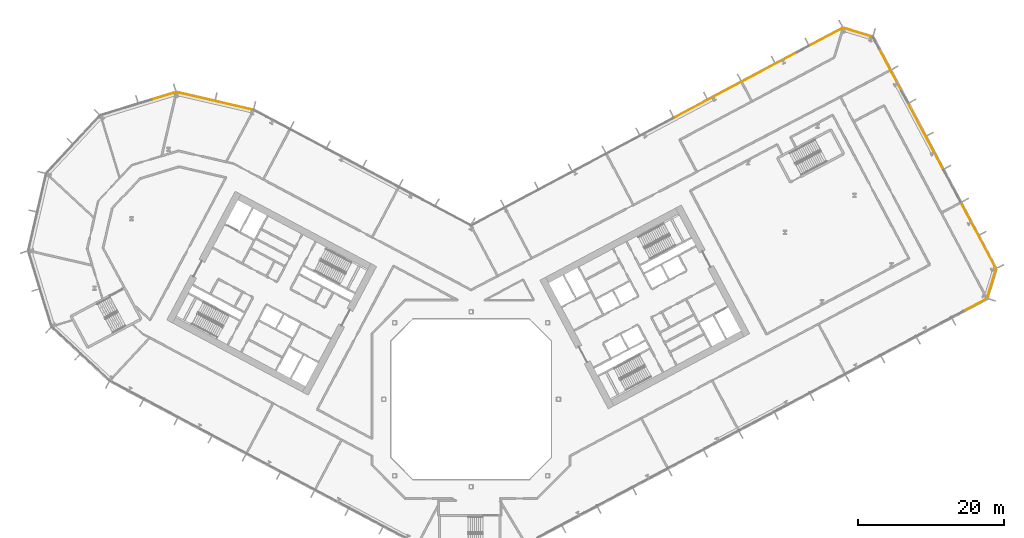
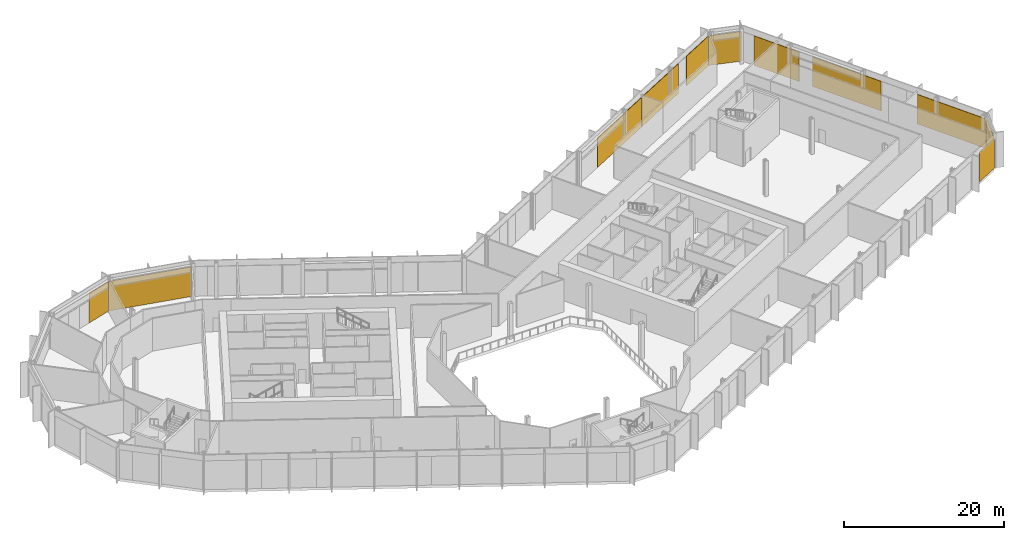
# One storey, part 31 of 32: 11 coverings, 7 elements without a shape of their own.
"""IFC4 building model written with IfcOpenShell, lengths in metres."""

from ifc_helpers import new_model, si_unit, direction, frame, origin, origin_2d, place, context, subcontext, project, spatial, rectangle, extrude, material, layer, layer_set, type_object, element, aggregate, save


model = new_model("IFC4")

# Units and contexts
model_context = context("Model", 3, precision=1e-05, world=origin(), true_north=direction((0.0, 1.0)))
body_context = subcontext(model_context, "Body", "Model", "MODEL_VIEW")
ifc_project = project(units=[si_unit("LENGTHUNIT", "METRE"), si_unit("AREAUNIT", "SQUARE_METRE"), si_unit("VOLUMEUNIT", "CUBIC_METRE"), si_unit("PLANEANGLEUNIT", "RADIAN"), si_unit("MASSUNIT", "GRAM", prefix="KILO")], contexts=[model_context])

# Site, building, storey
site_placement = place(None, origin())
site = spatial("IfcSite", under=ifc_project, at=site_placement, CompositionType="ELEMENT")
building_placement = place(site_placement, origin())
building = spatial("IfcBuilding", under=site, at=building_placement, Name="Cormorant Relay Tower", CompositionType="ELEMENT")
storey_placement = place(building_placement, frame((0.0, 0.0, 17.60009765625)))
storey = spatial("IfcBuildingStorey", under=building, at=storey_placement, Name="L03", CompositionType="ELEMENT", Elevation=17.60009765625)

# Curtain wall, covering
ifc_material_1 = material(Name="Aluminium 6063-T6 anodised bronze", Category="aluminium")
ifc_layer_1 = layer(ifc_material_1, 0.235107421875)
ifc_layer_set_1 = layer_set([ifc_layer_1], Name="CW6 data hall curtain wall with mineral wool panels")
curtain_wall_type = type_object("IfcCurtainWallType", Name="CW6 data hall curtain wall with mineral wool panels", PredefinedType="NOTDEFINED", material=ifc_layer_set_1)
curtain_wall_1_placement = place(storey_placement, origin())
curtain_wall_1 = element("IfcCurtainWall", 1, at=curtain_wall_1_placement, inside=storey, type_object=curtain_wall_type, Name="CW6 curtain wall 2", PredefinedType="NOTDEFINED")
ifc_material_2 = material(Name="Mineral wool cored anodised bronze aluminium cassette panel", Category="aluminium")
ifc_layer_2 = layer(ifc_material_2, 0.074951171875)
ifc_layer_set_2 = layer_set([ifc_layer_2], Name="CW6 mineral wool cassette panel 75")
covering_type = type_object("IfcCoveringType", Name="CW6 mineral wool cassette panel 75", PredefinedType="CLADDING", material=ifc_layer_set_2)
covering_1_placement = place(storey_placement, frame((69.1943359375, 12.96484375, 0.0), z_axis=(0.0, 0.0, 1.0), x_axis=(0.882947592859, 0.469471562786, 0.0)))
covering_1 = element("IfcCovering", 2, at=covering_1_placement, type_object=covering_type, Name="CW6 panel S15", PredefinedType="CLADDING", context=body_context, shape_type="SweptSolid", body=[
    extrude(rectangle(XDim=3.63671875, YDim=0.074951171875, at=origin_2d()), origin(), (0.0, 0.0, 1.0), 4.5),
])
aggregate(curtain_wall_1, [covering_1])

curtain_wall_2_placement = place(storey_placement, origin())
curtain_wall_2 = element("IfcCurtainWall", 3, at=curtain_wall_2_placement, inside=storey, type_object=curtain_wall_type, Name="CW6 curtain wall 3", PredefinedType="NOTDEFINED")
covering_2_placement = place(storey_placement, frame((71.44921875, 15.9052734375, 0.0), z_axis=(0.0, 0.0, 1.0), x_axis=(0.292371704723, 0.956304755963, 0.0)))
covering_2 = element("IfcCovering", 4, at=covering_2_placement, type_object=covering_type, Name="CW6 panel S00", PredefinedType="CLADDING", context=body_context, shape_type="SweptSolid", body=[
    extrude(rectangle(XDim=4.16748046875, YDim=0.074951171875, at=origin_2d()), origin(), (0.0, 0.0, 1.0), 4.5),
])
aggregate(curtain_wall_2, [covering_2])

# Curtain wall, coverings
curtain_wall_3_placement = place(storey_placement, origin())
curtain_wall_3 = element("IfcCurtainWall", 5, at=curtain_wall_3_placement, inside=storey, type_object=curtain_wall_type, Name="CW6 curtain wall 4", PredefinedType="NOTDEFINED")
covering_3_placement = place(storey_placement, frame((69.641357421875, 22.46728515625, 0.0), z_axis=(0.0, 0.0, 1.0), x_axis=(-0.469471562786, 0.882947592859, 0.0)))
covering_3 = element("IfcCovering", 6, at=covering_3_placement, type_object=covering_type, Name="CW6 panel S00", PredefinedType="CLADDING", context=body_context, shape_type="SweptSolid", body=[
    extrude(rectangle(XDim=10.1357421875, YDim=0.074951171875, at=origin_2d()), origin(), (0.0, 0.0, 1.0), 4.5),
])
covering_4_placement = place(storey_placement, frame((62.398193359375, 36.090087890625, 0.0), z_axis=(0.0, 0.0, 1.0), x_axis=(-0.469471562786, 0.882947592859, 0.0)))
covering_4 = element("IfcCovering", 7, at=covering_4_placement, type_object=covering_type, Name="CW6 panel S03", PredefinedType="CLADDING", context=body_context, shape_type="SweptSolid", body=[
    extrude(rectangle(XDim=10.1357421875, YDim=0.074951171875, at=origin_2d()), origin(), (0.0, 0.0, 1.0), 4.5),
])
covering_5_placement = place(storey_placement, frame((57.5517578125, 45.204833984375, 0.0), z_axis=(0.0, 0.0, 1.0), x_axis=(-0.469471562786, 0.882947592859, 0.0)))
covering_5 = element("IfcCovering", 8, at=covering_5_placement, type_object=covering_type, Name="CW6 panel S05", PredefinedType="CLADDING", context=body_context, shape_type="SweptSolid", body=[
    extrude(rectangle(XDim=6.610595703125, YDim=0.074951171875, at=origin_2d()), origin(), (0.0, 0.0, 1.0), 4.5),
])
aggregate(curtain_wall_3, [covering_3, covering_4, covering_5])

# Curtain wall, covering
curtain_wall_4_placement = place(storey_placement, origin())
curtain_wall_4 = element("IfcCurtainWall", 9, at=curtain_wall_4_placement, inside=storey, type_object=curtain_wall_type, Name="CW6 curtain wall 5", PredefinedType="NOTDEFINED")
covering_6_placement = place(storey_placement, frame((53.068115234375, 50.362060546875, 0.0), z_axis=(0.0, 0.0, 1.0), x_axis=(-0.956304755963, 0.292371704723, 0.0)))
covering_6 = element("IfcCovering", 10, at=covering_6_placement, type_object=covering_type, Name="CW6 panel S00", PredefinedType="CLADDING", context=body_context, shape_type="SweptSolid", body=[
    extrude(rectangle(XDim=4.16748046875, YDim=0.074951171875, at=origin_2d()), origin(), (0.0, 0.0, 1.0), 4.5),
])
aggregate(curtain_wall_4, [covering_6])

# Curtain wall, coverings
curtain_wall_5_placement = place(storey_placement, origin())
curtain_wall_5 = element("IfcCurtainWall", 11, at=curtain_wall_5_placement, inside=storey, type_object=curtain_wall_type, Name="CW6 curtain wall 6", PredefinedType="NOTDEFINED")
covering_7_placement = place(storey_placement, frame((48.725830078125, 49.734375, 0.0), z_axis=(0.0, 0.0, 1.0), x_axis=(-0.882947592859, -0.469471562786, 0.0)))
covering_7 = element("IfcCovering", 12, at=covering_7_placement, type_object=covering_type, Name="CW6 panel S00", PredefinedType="CLADDING", context=body_context, shape_type="SweptSolid", body=[
    extrude(rectangle(XDim=5.107666015625, YDim=0.074951171875, at=origin_2d()), origin(), (0.0, 0.0, 1.0), 4.5),
])
covering_8_placement = place(storey_placement, frame((40.9677734375, 45.609375, 0.0), z_axis=(0.0, 0.0, 1.0), x_axis=(-0.882947592859, -0.469471562786, 0.0)))
covering_8 = element("IfcCovering", 13, at=covering_8_placement, type_object=covering_type, Name="CW6 panel S02", PredefinedType="CLADDING", context=body_context, shape_type="SweptSolid", body=[
    extrude(rectangle(XDim=8.565185546875, YDim=0.074951171875, at=origin_2d()), origin(), (0.0, 0.0, 1.0), 4.5),
])
covering_9_placement = place(storey_placement, frame((32.47802734375, 41.09521484375, 0.0), z_axis=(0.0, 0.0, 1.0), x_axis=(-0.882947592859, -0.469471562786, 0.0)))
covering_9 = element("IfcCovering", 14, at=covering_9_placement, type_object=covering_type, Name="CW6 panel S03", PredefinedType="CLADDING", context=body_context, shape_type="SweptSolid", body=[
    extrude(rectangle(XDim=10.365234375, YDim=0.074951171875, at=origin_2d()), origin(), (0.0, 0.0, 1.0), 4.5),
])
aggregate(curtain_wall_5, [covering_7, covering_8, covering_9])

# Curtain wall, covering
curtain_wall_6_placement = place(storey_placement, origin())
curtain_wall_6 = element("IfcCurtainWall", 15, at=curtain_wall_6_placement, inside=storey, type_object=curtain_wall_type, Name="CW6 curtain wall 8", PredefinedType="NOTDEFINED")
covering_10_placement = place(storey_placement, frame((-35.19775390625, 40.935791015625, 0.0), z_axis=(0.0, 0.0, 1.0), x_axis=(-0.974370064785, 0.224951054344, 0.0)))
covering_10 = element("IfcCovering", 16, at=covering_10_placement, type_object=covering_type, Name="CW6 panel S00", PredefinedType="CLADDING", context=body_context, shape_type="SweptSolid", body=[
    extrude(rectangle(XDim=10.79541015625, YDim=0.074951171875, at=origin_2d()), origin(), (0.0, 0.0, 1.0), 4.5),
])
aggregate(curtain_wall_6, [covering_10])

curtain_wall_7_placement = place(storey_placement, origin())
curtain_wall_7 = element("IfcCurtainWall", 17, at=curtain_wall_7_placement, inside=storey, type_object=curtain_wall_type, Name="CW6 curtain wall 9", PredefinedType="NOTDEFINED")
covering_11_placement = place(storey_placement, frame((-42.214599609375, 41.617919921875, 0.0), z_axis=(0.0, 0.0, 1.0), x_axis=(-0.956304755963, -0.292371704723, 0.0)))
covering_11 = element("IfcCovering", 18, at=covering_11_placement, type_object=covering_type, Name="CW6 panel S00", PredefinedType="CLADDING", context=body_context, shape_type="SweptSolid", body=[
    extrude(rectangle(XDim=3.485107421875, YDim=0.074951171875, at=origin_2d()), origin(), (0.0, 0.0, 1.0), 4.5),
])
aggregate(curtain_wall_7, [covering_11])

save(model, "model.ifc")
